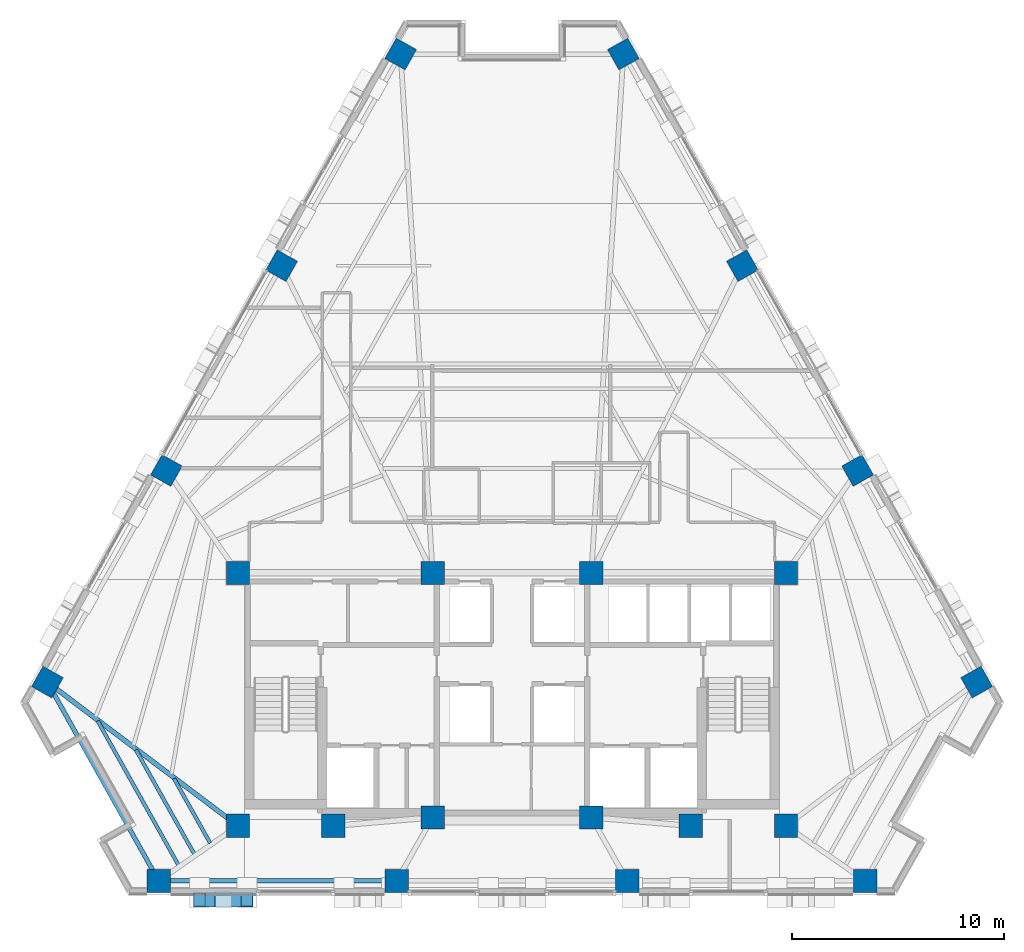
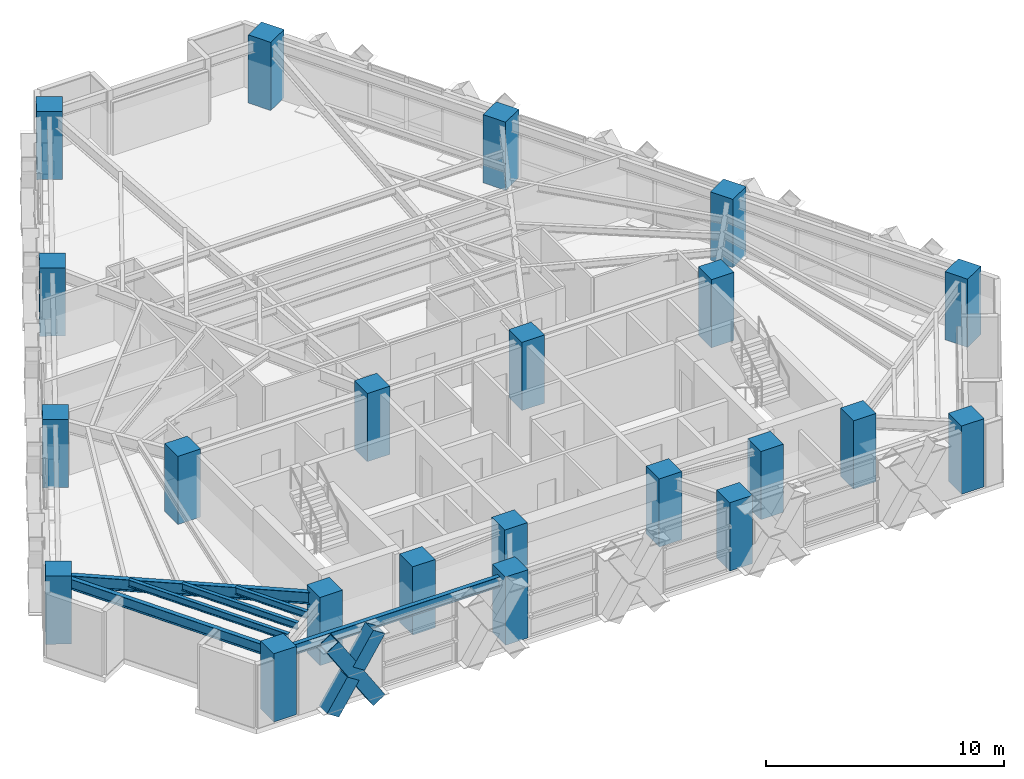
# One storey, part 1 of 14: 22 columns, 6 beams, 3 members.
"""IFC4 building model written with IfcOpenShell, lengths in metres."""

from ifc_helpers import new_model, si_unit, direction, frame, origin, origin_2d, place, context, subcontext, project, spatial, rectangle, hollow_rectangle, i_section, extrude, material, material_profile, profile_set, type_object, element, save


model = new_model("IFC4")

# Units and contexts
model_context = context("Model", 3, precision=1e-05, world=origin(), true_north=direction((0.0, 1.0)))
body_context = subcontext(model_context, "Body", "Model", "MODEL_VIEW")
ifc_project = project(units=[si_unit("LENGTHUNIT", "METRE"), si_unit("AREAUNIT", "SQUARE_METRE"), si_unit("VOLUMEUNIT", "CUBIC_METRE"), si_unit("PLANEANGLEUNIT", "RADIAN"), si_unit("MASSUNIT", "GRAM", prefix="KILO")], contexts=[model_context])

# Site, building, storey
site_placement = place(None, origin())
site = spatial("IfcSite", under=ifc_project, at=site_placement, CompositionType="ELEMENT")
building_placement = place(site_placement, origin())
building = spatial("IfcBuilding", under=site, at=building_placement, Name="Quenlor Broadcast Tower", CompositionType="ELEMENT")
storey_placement = place(building_placement, frame((0.0, 0.0, 123.0)))
storey = spatial("IfcBuildingStorey", under=building, at=storey_placement, Name="L33", CompositionType="ELEMENT", Elevation=123.0)

# Columns
ifc_material_1 = material(Name="Concrete C65/80", Category="concrete")
ifc_material_profile_1 = material_profile(ifc_material_1, rectangle(XDim=1.10009765625, YDim=1.10009765625, at=origin_2d()))
ifc_profile_set_1 = profile_set([ifc_material_profile_1], Name="Concrete C65/80 RC1100x1100")
column_type_1 = type_object("IfcColumnType", Name="Core Corner Column Mid Concrete C65/80 1100", PredefinedType="COLUMN", material=ifc_profile_set_1)
for number, where, z_axis, x_axis, name in (
    (1, (-12.949951171875, -16.75, 0.0), (0.0, 0.0, 1.0), (1.0, 0.0, 0.0), "L33 Core Column CC1"),
    (2, (-8.449951171875, -16.75, 0.0), (0.0, 0.0, 1.0), (1.0, 0.0, 0.0), "L33 Core Column CC2"),
    (3, (-3.75, -16.35009765625, 0.0), (0.0, 0.0, 1.0), (1.0, 0.0, 0.0), "L33 Core Column CC3"),
    (4, (3.75, -16.35009765625, 0.0), (0.0, 0.0, 1.0), (1.0, 0.0, 0.0), "L33 Core Column CC4"),
    (5, (8.449951171875, -16.75, 0.0), (0.0, 0.0, 1.0), (1.0, 0.0, 0.0), "L33 Core Column CC5"),
    (6, (12.949951171875, -16.75, 0.0), (0.0, 0.0, 1.0), (1.0, 0.0, 0.0), "L33 Core Column CC6"),
    (7, (-12.949951171875, -4.800048828125, 0.0), (0.0, 0.0, 1.0), (1.0, 0.0, 0.0), "L33 Core Column CC7"),
    (8, (-3.75, -4.800048828125, 0.0), (0.0, 0.0, 1.0), (1.0, 0.0, 0.0), "L33 Core Column CC8"),
    (9, (3.75, -4.800048828125, 0.0), (0.0, 0.0, 1.0), (1.0, 0.0, 0.0), "L33 Core Column CC9"),
    (10, (12.949951171875, -4.800048828125, 0.0), (0.0, 0.0, 1.0), (1.0, 0.0, 0.0), "L33 Core Column CC10"),
):
    element("IfcColumn", number, at=place(storey_placement, frame(where, z_axis=z_axis, x_axis=x_axis)), inside=storey, type_object=column_type_1, Name=name, PredefinedType="COLUMN", context=body_context, shape_type="SweptSolid", body=[
        extrude(rectangle(XDim=1.10009765625, YDim=1.10009765625, at=origin_2d()), origin(), (0.0, 0.0, 1.0), 3.5),
    ])
ifc_material_2 = material(Name="Concrete C65/80", Category="concrete")
ifc_material_profile_2 = material_profile(ifc_material_2, rectangle(XDim=1.10009765625, YDim=1.10009765625, at=origin_2d()))
ifc_profile_set_2 = profile_set([ifc_material_profile_2], Name="Concrete C65/80 RC1100x1100")
column_type_2 = type_object("IfcColumnType", Name="Tower Perimeter Column Z2 Concrete C65/80 1100", PredefinedType="COLUMN", material=ifc_profile_set_2)
for number, where, z_axis, x_axis, name in (
    (11, (-16.6923828125, -19.35009765625, 0.0), (0.0, 0.0, 1.0), (0.0, 1.0, 0.0), "L33 Perimeter Column S1"),
    (12, (-5.443115234375, -19.35009765625, 0.0), (0.0, 0.0, 1.0), (0.0, 1.0, 0.0), "L33 Perimeter Column S2"),
    (13, (5.443115234375, -19.35009765625, 0.0), (0.0, 0.0, 1.0), (0.0, 1.0, 0.0), "L33 Perimeter Column S3"),
    (14, (16.6923828125, -19.35009765625, 0.0), (0.0, 0.0, 1.0), (0.0, 1.0, 0.0), "L33 Perimeter Column S4"),
    (15, (21.95458984375, -9.95654296875, 0.0), (0.0, 0.0, 1.0), (0.871575139605, 0.490261946333, 0.0), "L33 Perimeter Column NE1"),
    (16, (16.330078125, 0.04296875, 0.0), (0.0, 0.0, 1.0), (0.871575139605, 0.490261946333, 0.0), "L33 Perimeter Column NE2"),
    (17, (10.886962890625, 9.7197265625, 0.0), (0.0, 0.0, 1.0), (0.871575139605, 0.490261946333, 0.0), "L33 Perimeter Column NE3"),
    (18, (5.26220703125, 19.718994140625, 0.0), (0.0, 0.0, 1.0), (0.871575139605, 0.490261946333, 0.0), "L33 Perimeter Column NE4"),
    (19, (-5.26220703125, 19.718994140625, 0.0), (0.0, 0.0, 1.0), (-0.871575139605, 0.490261946333, 0.0), "L33 Perimeter Column NW1"),
    (20, (-10.886962890625, 9.7197265625, 0.0), (0.0, 0.0, 1.0), (-0.871575139605, 0.490261946333, 0.0), "L33 Perimeter Column NW2"),
    (21, (-16.330078125, 0.04296875, 0.0), (0.0, 0.0, 1.0), (-0.871575139605, 0.490261946333, 0.0), "L33 Perimeter Column NW3"),
    (22, (-21.95458984375, -9.95654296875, 0.0), (0.0, 0.0, 1.0), (-0.871575139605, 0.490261946333, 0.0), "L33 Perimeter Column NW4"),
):
    element("IfcColumn", number, at=place(storey_placement, frame(where, z_axis=z_axis, x_axis=x_axis)), inside=storey, type_object=column_type_2, Name=name, PredefinedType="COLUMN", context=body_context, shape_type="SweptSolid", body=[
        extrude(rectangle(XDim=1.10009765625, YDim=1.10009765625, at=origin_2d()), origin(), (0.0, 0.0, 1.0), 3.5),
    ])

# Members
ifc_material_3 = material(Name="Steel S355", Category="steel")
ifc_material_profile_3 = material_profile(ifc_material_3, hollow_rectangle(XDim=0.679931640625, YDim=0.679931640625, WallThickness=0.030029296875, at=origin_2d()))
ifc_profile_set_3 = profile_set([ifc_material_profile_3], Name="Steel S355 RHS680x680x30")
member_type = type_object("IfcMemberType", Name="Perimeter Diagonal Lattice Brace Z2 Steel S355 RHS680x30", PredefinedType="BRACE", material=ifc_profile_set_3)
member_1_placement = place(storey_placement, frame((-12.5126953125, -20.235107421875, -0.1201171875), z_axis=(-0.539926440573, 0.0, 0.841712206618), x_axis=(0.0, -1.0, 0.0)))
element("IfcMember", 23, at=member_1_placement, inside=storey, type_object=member_type, Name="L33 Perimeter Diamond Lattice S-C5XA", PredefinedType="BRACE", context=body_context, shape_type="SweptSolid", body=[
    extrude(hollow_rectangle(XDim=0.679931640625, YDim=0.679931640625, WallThickness=0.030029296875, at=origin_2d()), origin(), (0.0, 0.0, 1.0), 4.158203125),
])
member_2_placement = place(storey_placement, frame((-14.7578125, -20.235107421875, -0.1201171875), z_axis=(0.539860138754, 0.0, 0.841754733034), x_axis=(0.0, 1.0, 0.0)))
element("IfcMember", 24, at=member_2_placement, inside=storey, type_object=member_type, Name="L33 Perimeter Diamond Lattice S-C5XB1", PredefinedType="BRACE", context=body_context, shape_type="SweptSolid", body=[
    extrude(hollow_rectangle(XDim=0.679931640625, YDim=0.679931640625, WallThickness=0.030029296875, at=origin_2d()), origin(), (0.0, 0.0, 1.0), 1.829345703125),
])
member_3_placement = place(storey_placement, frame((-13.500244140625, -20.235107421875, 1.84033203125), z_axis=(0.539920793993, 0.0, 0.841715828658), x_axis=(0.0, 1.0, 0.0)))
element("IfcMember", 25, at=member_3_placement, inside=storey, type_object=member_type, Name="L33 Perimeter Diamond Lattice S-C5XB2", PredefinedType="BRACE", context=body_context, shape_type="SweptSolid", body=[
    extrude(hollow_rectangle(XDim=0.679931640625, YDim=0.679931640625, WallThickness=0.030029296875, at=origin_2d()), origin(), (0.0, 0.0, 1.0), 1.8291015625),
])

# Beams
ifc_material_4 = material(Name="Steel S355", Category="steel")
ifc_material_profile_4 = material_profile(ifc_material_4, i_section(OverallWidth=0.208984375, OverallDepth=0.5283203125, WebThickness=0.009521484375, FlangeThickness=0.01318359375, FilletRadius=0.013916015625, at=origin_2d()))
ifc_profile_set_4 = profile_set([ifc_material_profile_4], Name="Steel S355 530UB82.0")
beam_type_1 = type_object("IfcBeamType", Name="Perimeter Spandrel Beam Z2 Steel S355 530UB82.0", PredefinedType="SPANDREL", material=ifc_profile_set_4)
beam_1_placement = place(storey_placement, frame((-16.282470703125, -19.35009765625, 2.98583984375), z_axis=(1.0, 0.0, 0.0), x_axis=(0.0, 1.0, 0.0)))
element("IfcBeam", 26, at=beam_1_placement, inside=storey, type_object=beam_type_1, Name="L33 Spandrel Beam S1-S2", PredefinedType="SPANDREL", context=body_context, shape_type="SweptSolid", body=[
    extrude(i_section(OverallWidth=0.208984375, OverallDepth=0.5283203125, WebThickness=0.009521484375, FlangeThickness=0.01318359375, FilletRadius=0.013916015625, at=origin_2d()), origin(), (0.0, 0.0, 1.0), 10.42919921875),
])
beam_2_placement = place(storey_placement, frame((-21.75439453125, -10.314208984375, 2.98583984375), z_axis=(0.488749102779, -0.872424389006, 0.0), x_axis=(0.872424389006, 0.488749102779, 0.0)))
element("IfcBeam", 27, at=beam_2_placement, inside=storey, type_object=beam_type_1, Name="L33 Spandrel Beam NW4-S1", PredefinedType="SPANDREL", context=body_context, shape_type="SweptSolid", body=[
    extrude(i_section(OverallWidth=0.208984375, OverallDepth=0.5283203125, WebThickness=0.009521484375, FlangeThickness=0.01318359375, FilletRadius=0.013916015625, at=origin_2d()), origin(), (0.0, 0.0, 1.0), 9.947021484375),
])
ifc_material_5 = material(Name="Steel S355", Category="steel")
ifc_material_profile_5 = material_profile(ifc_material_5, i_section(OverallWidth=0.172119140625, OverallDepth=0.358642578125, WebThickness=0.008056640625, FlangeThickness=0.012939453125, FilletRadius=0.011474609375, at=origin_2d()))
ifc_profile_set_5 = profile_set([ifc_material_profile_5], Name="Steel S355 360UB56.7")
beam_type_2 = type_object("IfcBeamType", Name="Tower Composite Joist Z2-Z3 Steel S355 360UB56.7", PredefinedType="JOIST", material=ifc_profile_set_5)
beam_3_placement = place(storey_placement, frame((-14.261474609375, -17.564208984375, 3.07080078125), z_axis=(-0.488730779643, 0.87243465373, 0.0), x_axis=(-0.87243465373, -0.488730779643, 0.0)))
element("IfcBeam", 28, at=beam_3_placement, inside=storey, type_object=beam_type_2, Name="L33 Secondary Composite Joist 19", PredefinedType="JOIST", context=body_context, shape_type="SweptSolid", body=[
    extrude(i_section(OverallWidth=0.172119140625, OverallDepth=0.358642578125, WebThickness=0.008056640625, FlangeThickness=0.012939453125, FilletRadius=0.011474609375, at=origin_2d()), origin(), (0.0, 0.0, 1.0), 3.500732421875),
])
beam_4_placement = place(storey_placement, frame((-15.010009765625, -18.084228515625, 3.07080078125), z_axis=(-0.488741419435, 0.87242869332, 0.0), x_axis=(-0.87242869332, -0.488741419435, 0.0)))
element("IfcBeam", 29, at=beam_4_placement, inside=storey, type_object=beam_type_2, Name="L33 Secondary Composite Joist 20", PredefinedType="JOIST", context=body_context, shape_type="SweptSolid", body=[
    extrude(i_section(OverallWidth=0.172119140625, OverallDepth=0.358642578125, WebThickness=0.008056640625, FlangeThickness=0.012939453125, FilletRadius=0.011474609375, at=origin_2d()), origin(), (0.0, 0.0, 1.0), 5.654052734375),
])
beam_5_placement = place(storey_placement, frame((-15.758544921875, -18.604248046875, 3.07080078125), z_axis=(-0.488732857155, 0.872433489922, 0.0), x_axis=(-0.872433489922, -0.488732857155, 0.0)))
element("IfcBeam", 30, at=beam_5_placement, inside=storey, type_object=beam_type_2, Name="L33 Secondary Composite Joist 21", PredefinedType="JOIST", context=body_context, shape_type="SweptSolid", body=[
    extrude(i_section(OverallWidth=0.172119140625, OverallDepth=0.358642578125, WebThickness=0.008056640625, FlangeThickness=0.012939453125, FilletRadius=0.011474609375, at=origin_2d()), origin(), (0.0, 0.0, 1.0), 7.807861328125),
])
ifc_material_6 = material(Name="Steel S355", Category="steel")
ifc_material_profile_6 = material_profile(ifc_material_6, i_section(OverallWidth=0.22802734375, OverallDepth=0.60205078125, WebThickness=0.010498046875, FlangeThickness=0.014892578125, FilletRadius=0.013916015625, at=origin_2d()))
ifc_profile_set_6 = profile_set([ifc_material_profile_6], Name="Steel S355 610UB101")
beam_type_3 = type_object("IfcBeamType", Name="Tower Primary Floor Beam Z2 Steel S355 610UB101", PredefinedType="BEAM", material=ifc_profile_set_6)
beam_6_placement = place(storey_placement, frame((-21.62744140625, -10.203369140625, 2.948974609375), z_axis=(0.798298724007, -0.602261693327, 0.0), x_axis=(0.602261693327, 0.798298724007, 0.0)))
element("IfcBeam", 31, at=beam_6_placement, inside=storey, type_object=beam_type_3, Name="L33 Primary Radial Beam NW4", PredefinedType="BEAM", context=body_context, shape_type="SweptSolid", body=[
    extrude(i_section(OverallWidth=0.22802734375, OverallDepth=0.60205078125, WebThickness=0.010498046875, FlangeThickness=0.014892578125, FilletRadius=0.013916015625, at=origin_2d()), origin(), (0.0, 0.0, 1.0), 10.48974609375),
])

save(model, "model.ifc")
